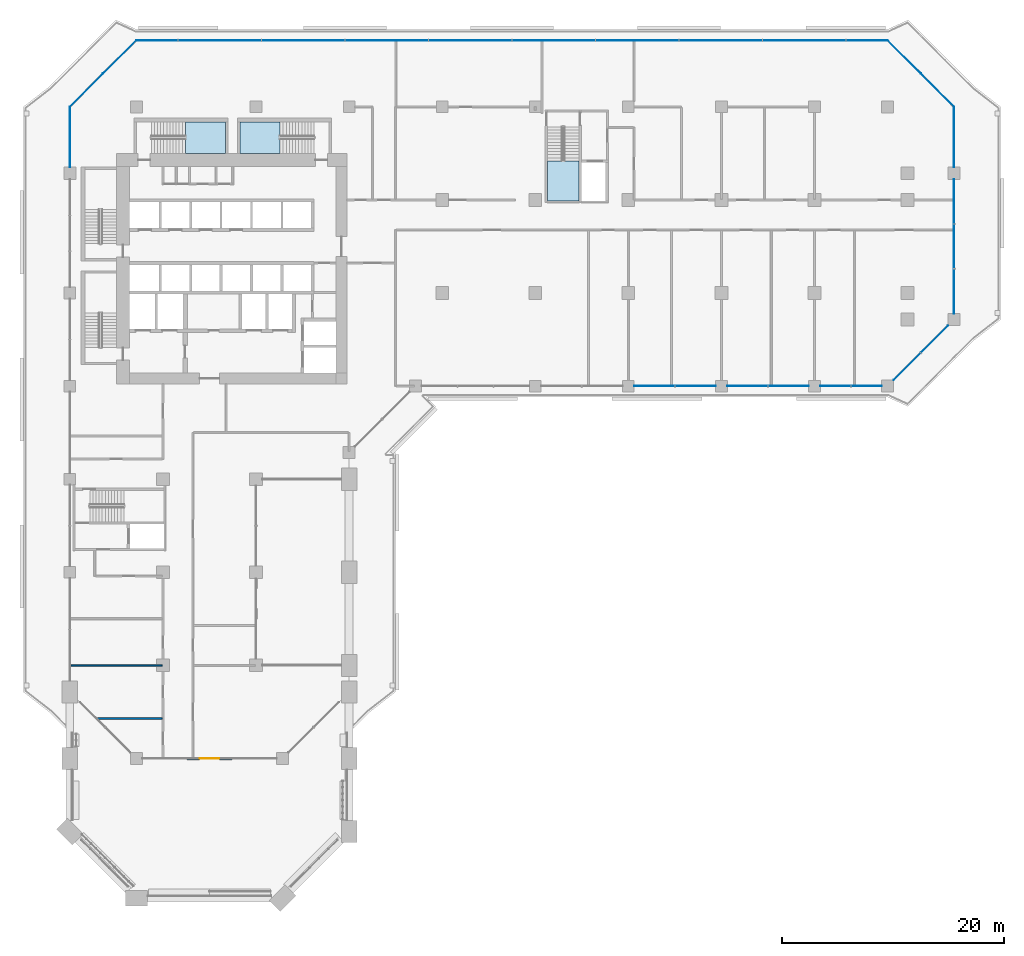
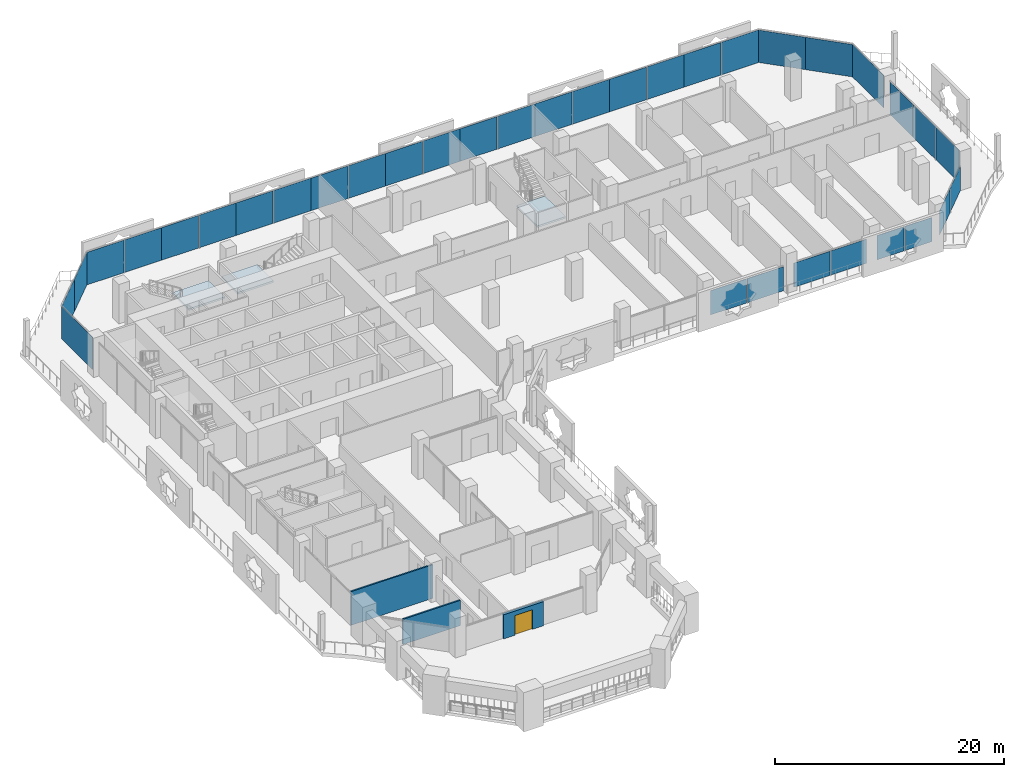
# One storey, part 12 of 25: 35 plates, 3 slabs, 3 walls, 1 door, 1 opening, 10 elements without a shape of their own.
"""IFC4 building model written with IfcOpenShell, lengths in metres."""

from ifc_helpers import new_model, si_unit, direction, frame, frame_2d, origin, origin_2d, place, context, subcontext, project, spatial, polyline, rectangle, outline, extrude, material, layer, layer_set, type_object, element, fill, aggregate, save


model = new_model("IFC4")

# Units and contexts
model_context = context("Model", 3, precision=1e-05, world=origin(), true_north=direction((0.0, 1.0)))
body_context = subcontext(model_context, "Body", "Model", "MODEL_VIEW")
ifc_project = project(units=[si_unit("LENGTHUNIT", "METRE"), si_unit("AREAUNIT", "SQUARE_METRE"), si_unit("VOLUMEUNIT", "CUBIC_METRE"), si_unit("PLANEANGLEUNIT", "RADIAN"), si_unit("MASSUNIT", "GRAM", prefix="KILO")], contexts=[model_context])

# Site, building, storey
site_placement = place(None, origin())
site = spatial("IfcSite", under=ifc_project, at=site_placement, CompositionType="ELEMENT")
building_placement = place(site_placement, origin())
building = spatial("IfcBuilding", under=site, at=building_placement, Name="Kawkab Arch Medical Tower", CompositionType="ELEMENT")
storey_placement = place(building_placement, frame((0.0, 0.0, 98.800048828125)))
storey = spatial("IfcBuildingStorey", under=building, at=storey_placement, Name="L22", CompositionType="ELEMENT", Elevation=98.800048828125)

# Curtain wall, plates
ifc_material_1 = material(Name="Bronze anodised aluminium curtain wall frame", Category="aluminium")
ifc_layer_1 = layer(ifc_material_1, 0.159912109375)
ifc_layer_set_1 = layer_set([ifc_layer_1], Name="Bronze anodised aluminium curtain wall frame")
curtain_wall_type_1 = type_object("IfcCurtainWallType", Name="CW1 ward curtain wall", PredefinedType="NOTDEFINED", material=ifc_layer_set_1)
placement_1 = place(storey_placement, origin())
curtain_wall_1 = element("IfcCurtainWall", 1, at=placement_1, inside=storey, type_object=curtain_wall_type_1, Name="CW1 Ward curtain wall R07", PredefinedType="NOTDEFINED")
ifc_material_2 = material(Name="Tinted insulating glass, bronze low-e coating", Category="glass")
ifc_layer_2 = layer(ifc_material_2, 0.031982421875)
ifc_layer_set_2 = layer_set([ifc_layer_2], Name="Tinted insulating glass, bronze low-e coating")
plate_type_1 = type_object("IfcPlateType", Name="CW1 glazing unit 32", PredefinedType="CURTAIN_PANEL", material=ifc_layer_set_2)
plate_1_placement = place(storey_placement, frame((52.74755859375, -25.199951171875, 0.0), z_axis=(0.0, 0.0, 1.0), x_axis=(1.0, 0.0, 0.0)))
plate_1 = element("IfcPlate", 2, at=plate_1_placement, type_object=plate_type_1, Name="CW1 glazing unit 3.1", PredefinedType="CURTAIN_PANEL", context=body_context, shape_type="SweptSolid", body=[
    extrude(rectangle(XDim=3.64501953125, YDim=0.031982421875, at=origin_2d()), origin(), (0.0, 0.0, 1.0), 2.580078125),
])
plate_2_placement = place(storey_placement, frame((56.452392578125, -25.199951171875, 0.0), z_axis=(0.0, 0.0, 1.0), x_axis=(1.0, 0.0, 0.0)))
plate_2 = element("IfcPlate", 3, at=plate_2_placement, type_object=plate_type_1, Name="CW1 glazing unit 3.2", PredefinedType="CURTAIN_PANEL", context=body_context, shape_type="SweptSolid", body=[
    extrude(rectangle(XDim=3.64501953125, YDim=0.031982421875, at=origin_2d()), origin(), (0.0, 0.0, 1.0), 2.580078125),
])
plate_3_placement = place(storey_placement, frame((61.1474609375, -25.199951171875, 0.0), z_axis=(0.0, 0.0, 1.0), x_axis=(1.0, 0.0, 0.0)))
plate_3 = element("IfcPlate", 4, at=plate_3_placement, type_object=plate_type_1, Name="CW1 glazing unit 4.1", PredefinedType="CURTAIN_PANEL", context=body_context, shape_type="SweptSolid", body=[
    extrude(rectangle(XDim=3.64501953125, YDim=0.031982421875, at=origin_2d()), origin(), (0.0, 0.0, 1.0), 2.580078125),
])
plate_4_placement = place(storey_placement, frame((64.8525390625, -25.199951171875, 0.0), z_axis=(0.0, 0.0, 1.0), x_axis=(1.0, 0.0, 0.0)))
plate_4 = element("IfcPlate", 5, at=plate_4_placement, type_object=plate_type_1, Name="CW1 glazing unit 4.2", PredefinedType="CURTAIN_PANEL", context=body_context, shape_type="SweptSolid", body=[
    extrude(rectangle(XDim=3.64501953125, YDim=0.031982421875, at=origin_2d()), origin(), (0.0, 0.0, 1.0), 2.580078125),
])
plate_5_placement = place(storey_placement, frame((69.09130859375, -25.199951171875, 0.0), z_axis=(0.0, 0.0, 1.0), x_axis=(1.0, 0.0, 0.0)))
plate_5 = element("IfcPlate", 6, at=plate_5_placement, type_object=plate_type_1, Name="CW1 glazing unit 5.1", PredefinedType="CURTAIN_PANEL", context=body_context, shape_type="SweptSolid", body=[
    extrude(rectangle(XDim=2.732421875, YDim=0.031982421875, at=origin_2d()), origin(), (0.0, 0.0, 1.0), 2.580078125),
])
plate_6_placement = place(storey_placement, frame((71.8837890625, -25.199951171875, 0.0), z_axis=(0.0, 0.0, 1.0), x_axis=(1.0, 0.0, 0.0)))
plate_6 = element("IfcPlate", 7, at=plate_6_placement, type_object=plate_type_1, Name="CW1 glazing unit 5.2", PredefinedType="CURTAIN_PANEL", context=body_context, shape_type="SweptSolid", body=[
    extrude(rectangle(XDim=2.732421875, YDim=0.031982421875, at=origin_2d()), origin(), (0.0, 0.0, 1.0), 2.580078125),
])
aggregate(curtain_wall_1, [plate_1, plate_2, plate_3, plate_4, plate_5, plate_6])

curtain_wall_2 = element("IfcCurtainWall", 8, at=placement_1, inside=storey, type_object=curtain_wall_type_1, Name="CW1 Ward curtain wall R09", PredefinedType="NOTDEFINED")
plate_7_placement = place(storey_placement, frame((79.800048828125, -16.6484375, 0.0), z_axis=(0.0, 0.0, 1.0), x_axis=(0.0, 1.0, 0.0)))
plate_7 = element("IfcPlate", 9, at=plate_7_placement, type_object=plate_type_1, Name="CW1 glazing unit 1.1", PredefinedType="CURTAIN_PANEL", context=body_context, shape_type="SweptSolid", body=[
    extrude(rectangle(XDim=4.00341796875, YDim=0.031982421875, at=origin_2d()), origin(), (0.0, 0.0, 1.0), 3.47998046875),
])
plate_8_placement = place(storey_placement, frame((79.800048828125, -12.60009765625, 0.0), z_axis=(0.0, 0.0, 1.0), x_axis=(0.0, 1.0, 0.0)))
plate_8 = element("IfcPlate", 10, at=plate_8_placement, type_object=plate_type_1, Name="CW1 glazing unit 1.2", PredefinedType="CURTAIN_PANEL", context=body_context, shape_type="SweptSolid", body=[
    extrude(rectangle(XDim=3.973388671875, YDim=0.031982421875, at=origin_2d()), origin(), (0.0, 0.0, 1.0), 3.47998046875),
])
plate_9_placement = place(storey_placement, frame((79.800048828125, -8.5517578125, 0.0), z_axis=(0.0, 0.0, 1.0), x_axis=(0.0, 1.0, 0.0)))
plate_9 = element("IfcPlate", 11, at=plate_9_placement, type_object=plate_type_1, Name="CW1 glazing unit 1.3", PredefinedType="CURTAIN_PANEL", context=body_context, shape_type="SweptSolid", body=[
    extrude(rectangle(XDim=4.00341796875, YDim=0.031982421875, at=origin_2d()), origin(), (0.0, 0.0, 1.0), 3.47998046875),
])
plate_10_placement = place(storey_placement, frame((79.800048828125, -2.72509765625, 0.0), z_axis=(0.0, 0.0, 1.0), x_axis=(0.0, 1.0, 0.0)))
plate_10 = element("IfcPlate", 12, at=plate_10_placement, type_object=plate_type_1, Name="CW1 glazing unit 2.1", PredefinedType="CURTAIN_PANEL", context=body_context, shape_type="SweptSolid", body=[
    extrude(rectangle(XDim=5.449951171875, YDim=0.031982421875, at=origin_2d()), origin(), (0.0, 0.0, 1.0), 3.47998046875),
])
aggregate(curtain_wall_2, [plate_7, plate_8, plate_9, plate_10])

curtain_wall_3 = element("IfcCurtainWall", 13, at=placement_1, inside=storey, type_object=curtain_wall_type_1, Name="CW1 Ward curtain wall R11", PredefinedType="NOTDEFINED")
plate_11_placement = place(storey_placement, frame((71.931640625, 6.0, 0.0), z_axis=(0.0, 0.0, 1.0), x_axis=(-1.0, 0.0, 0.0)))
plate_11 = element("IfcPlate", 14, at=plate_11_placement, type_object=plate_type_1, Name="CW1 glazing unit 1.1", PredefinedType="CURTAIN_PANEL", context=body_context, shape_type="SweptSolid", body=[
    extrude(rectangle(XDim=3.736572265625, YDim=0.031982421875, at=origin_2d()), origin(), (0.0, 0.0, 1.0), 3.47998046875),
])
plate_12_placement = place(storey_placement, frame((68.135009765625, 6.0, 0.0), z_axis=(0.0, 0.0, 1.0), x_axis=(-1.0, 0.0, 0.0)))
plate_12 = element("IfcPlate", 15, at=plate_12_placement, type_object=plate_type_1, Name="CW1 glazing unit 1.2", PredefinedType="CURTAIN_PANEL", context=body_context, shape_type="SweptSolid", body=[
    extrude(rectangle(XDim=3.736572265625, YDim=0.031982421875, at=origin_2d()), origin(), (0.0, 0.0, 1.0), 3.47998046875),
])
plate_13_placement = place(storey_placement, frame((64.3984375, 6.0, 0.0), z_axis=(0.0, 0.0, 1.0), x_axis=(-1.0, 0.0, 0.0)))
plate_13 = element("IfcPlate", 16, at=plate_13_placement, type_object=plate_type_1, Name="CW1 glazing unit 2.1", PredefinedType="CURTAIN_PANEL", context=body_context, shape_type="SweptSolid", body=[
    extrude(rectangle(XDim=3.736572265625, YDim=0.031982421875, at=origin_2d()), origin(), (0.0, 0.0, 1.0), 3.47998046875),
])
plate_14_placement = place(storey_placement, frame((60.6015625, 6.0, 0.0), z_axis=(0.0, 0.0, 1.0), x_axis=(-1.0, 0.0, 0.0)))
plate_14 = element("IfcPlate", 17, at=plate_14_placement, type_object=plate_type_1, Name="CW1 glazing unit 2.2", PredefinedType="CURTAIN_PANEL", context=body_context, shape_type="SweptSolid", body=[
    extrude(rectangle(XDim=3.736572265625, YDim=0.031982421875, at=origin_2d()), origin(), (0.0, 0.0, 1.0), 3.47998046875),
])
plate_15_placement = place(storey_placement, frame((56.864990234375, 6.0, 0.0), z_axis=(0.0, 0.0, 1.0), x_axis=(-1.0, 0.0, 0.0)))
plate_15 = element("IfcPlate", 18, at=plate_15_placement, type_object=plate_type_1, Name="CW1 glazing unit 3.1", PredefinedType="CURTAIN_PANEL", context=body_context, shape_type="SweptSolid", body=[
    extrude(rectangle(XDim=3.736572265625, YDim=0.031982421875, at=origin_2d()), origin(), (0.0, 0.0, 1.0), 3.47998046875),
])
plate_16_placement = place(storey_placement, frame((53.068359375, 6.0, 0.0), z_axis=(0.0, 0.0, 1.0), x_axis=(-1.0, 0.0, 0.0)))
plate_16 = element("IfcPlate", 19, at=plate_16_placement, type_object=plate_type_1, Name="CW1 glazing unit 3.2", PredefinedType="CURTAIN_PANEL", context=body_context, shape_type="SweptSolid", body=[
    extrude(rectangle(XDim=3.736572265625, YDim=0.031982421875, at=origin_2d()), origin(), (0.0, 0.0, 1.0), 3.47998046875),
])
plate_17_placement = place(storey_placement, frame((49.331787109375, 6.0, 0.0), z_axis=(0.0, 0.0, 1.0), x_axis=(-1.0, 0.0, 0.0)))
plate_17 = element("IfcPlate", 20, at=plate_17_placement, type_object=plate_type_1, Name="CW1 glazing unit 4.1", PredefinedType="CURTAIN_PANEL", context=body_context, shape_type="SweptSolid", body=[
    extrude(rectangle(XDim=3.736572265625, YDim=0.031982421875, at=origin_2d()), origin(), (0.0, 0.0, 1.0), 3.47998046875),
])
plate_18_placement = place(storey_placement, frame((45.534912109375, 6.0, 0.0), z_axis=(0.0, 0.0, 1.0), x_axis=(-1.0, 0.0, 0.0)))
plate_18 = element("IfcPlate", 21, at=plate_18_placement, type_object=plate_type_1, Name="CW1 glazing unit 4.2", PredefinedType="CURTAIN_PANEL", context=body_context, shape_type="SweptSolid", body=[
    extrude(rectangle(XDim=3.736572265625, YDim=0.031982421875, at=origin_2d()), origin(), (0.0, 0.0, 1.0), 3.47998046875),
])
plate_19_placement = place(storey_placement, frame((41.79833984375, 6.0, 0.0), z_axis=(0.0, 0.0, 1.0), x_axis=(-1.0, 0.0, 0.0)))
plate_19 = element("IfcPlate", 22, at=plate_19_placement, type_object=plate_type_1, Name="CW1 glazing unit 5.1", PredefinedType="CURTAIN_PANEL", context=body_context, shape_type="SweptSolid", body=[
    extrude(rectangle(XDim=3.736572265625, YDim=0.031982421875, at=origin_2d()), origin(), (0.0, 0.0, 1.0), 3.47998046875),
])
plate_20_placement = place(storey_placement, frame((38.001708984375, 6.0, 0.0), z_axis=(0.0, 0.0, 1.0), x_axis=(-1.0, 0.0, 0.0)))
plate_20 = element("IfcPlate", 23, at=plate_20_placement, type_object=plate_type_1, Name="CW1 glazing unit 5.2", PredefinedType="CURTAIN_PANEL", context=body_context, shape_type="SweptSolid", body=[
    extrude(rectangle(XDim=3.736572265625, YDim=0.031982421875, at=origin_2d()), origin(), (0.0, 0.0, 1.0), 3.47998046875),
])
plate_21_placement = place(storey_placement, frame((34.264892578125, 6.0, 0.0), z_axis=(0.0, 0.0, 1.0), x_axis=(-1.0, 0.0, 0.0)))
plate_21 = element("IfcPlate", 24, at=plate_21_placement, type_object=plate_type_1, Name="CW1 glazing unit 6.1", PredefinedType="CURTAIN_PANEL", context=body_context, shape_type="SweptSolid", body=[
    extrude(rectangle(XDim=3.736572265625, YDim=0.031982421875, at=origin_2d()), origin(), (0.0, 0.0, 1.0), 3.47998046875),
])
plate_22_placement = place(storey_placement, frame((30.46826171875, 6.0, 0.0), z_axis=(0.0, 0.0, 1.0), x_axis=(-1.0, 0.0, 0.0)))
plate_22 = element("IfcPlate", 25, at=plate_22_placement, type_object=plate_type_1, Name="CW1 glazing unit 6.2", PredefinedType="CURTAIN_PANEL", context=body_context, shape_type="SweptSolid", body=[
    extrude(rectangle(XDim=3.736572265625, YDim=0.031982421875, at=origin_2d()), origin(), (0.0, 0.0, 1.0), 3.47998046875),
])
plate_23_placement = place(storey_placement, frame((26.731689453125, 6.0, 0.0), z_axis=(0.0, 0.0, 1.0), x_axis=(-1.0, 0.0, 0.0)))
plate_23 = element("IfcPlate", 26, at=plate_23_placement, type_object=plate_type_1, Name="CW1 glazing unit 7.1", PredefinedType="CURTAIN_PANEL", context=body_context, shape_type="SweptSolid", body=[
    extrude(rectangle(XDim=3.736572265625, YDim=0.031982421875, at=origin_2d()), origin(), (0.0, 0.0, 1.0), 3.47998046875),
])
plate_24_placement = place(storey_placement, frame((22.93505859375, 6.0, 0.0), z_axis=(0.0, 0.0, 1.0), x_axis=(-1.0, 0.0, 0.0)))
plate_24 = element("IfcPlate", 27, at=plate_24_placement, type_object=plate_type_1, Name="CW1 glazing unit 7.2", PredefinedType="CURTAIN_PANEL", context=body_context, shape_type="SweptSolid", body=[
    extrude(rectangle(XDim=3.736572265625, YDim=0.031982421875, at=origin_2d()), origin(), (0.0, 0.0, 1.0), 3.47998046875),
])
plate_25_placement = place(storey_placement, frame((19.1982421875, 6.0, 0.0), z_axis=(0.0, 0.0, 1.0), x_axis=(-1.0, 0.0, 0.0)))
plate_25 = element("IfcPlate", 28, at=plate_25_placement, type_object=plate_type_1, Name="CW1 glazing unit 8.1", PredefinedType="CURTAIN_PANEL", context=body_context, shape_type="SweptSolid", body=[
    extrude(rectangle(XDim=3.736572265625, YDim=0.031982421875, at=origin_2d()), origin(), (0.0, 0.0, 1.0), 3.47998046875),
])
plate_26_placement = place(storey_placement, frame((15.401611328125, 6.0, 0.0), z_axis=(0.0, 0.0, 1.0), x_axis=(-1.0, 0.0, 0.0)))
plate_26 = element("IfcPlate", 29, at=plate_26_placement, type_object=plate_type_1, Name="CW1 glazing unit 8.2", PredefinedType="CURTAIN_PANEL", context=body_context, shape_type="SweptSolid", body=[
    extrude(rectangle(XDim=3.736572265625, YDim=0.031982421875, at=origin_2d()), origin(), (0.0, 0.0, 1.0), 3.47998046875),
])
plate_27_placement = place(storey_placement, frame((11.6650390625, 6.0, 0.0), z_axis=(0.0, 0.0, 1.0), x_axis=(-1.0, 0.0, 0.0)))
plate_27 = element("IfcPlate", 30, at=plate_27_placement, type_object=plate_type_1, Name="CW1 glazing unit 9.1", PredefinedType="CURTAIN_PANEL", context=body_context, shape_type="SweptSolid", body=[
    extrude(rectangle(XDim=3.736572265625, YDim=0.031982421875, at=origin_2d()), origin(), (0.0, 0.0, 1.0), 3.47998046875),
])
plate_28_placement = place(storey_placement, frame((7.868408203125, 6.0, 0.0), z_axis=(0.0, 0.0, 1.0), x_axis=(-1.0, 0.0, 0.0)))
plate_28 = element("IfcPlate", 31, at=plate_28_placement, type_object=plate_type_1, Name="CW1 glazing unit 9.2", PredefinedType="CURTAIN_PANEL", context=body_context, shape_type="SweptSolid", body=[
    extrude(rectangle(XDim=3.736572265625, YDim=0.031982421875, at=origin_2d()), origin(), (0.0, 0.0, 1.0), 3.47998046875),
])
aggregate(curtain_wall_3, [plate_11, plate_12, plate_13, plate_14, plate_15, plate_16, plate_17, plate_18, plate_19, plate_20, plate_21, plate_22, plate_23, plate_24, plate_25, plate_26, plate_27, plate_28])

# Curtain wall, plate
curtain_wall_4 = element("IfcCurtainWall", 32, at=placement_1, inside=storey, type_object=curtain_wall_type_1, Name="CW1 Ward curtain wall R13", PredefinedType="NOTDEFINED")
plate_29_placement = place(storey_placement, frame((0.0, -2.72509765625, 0.0), z_axis=(0.0, 0.0, 1.0), x_axis=(0.0, -1.0, 0.0)))
plate_29 = element("IfcPlate", 33, at=plate_29_placement, type_object=plate_type_1, Name="CW1 glazing unit 1.1", PredefinedType="CURTAIN_PANEL", context=body_context, shape_type="SweptSolid", body=[
    extrude(rectangle(XDim=5.449951171875, YDim=0.031982421875, at=origin_2d()), origin(), (0.0, 0.0, 1.0), 3.47998046875),
])
aggregate(curtain_wall_4, [plate_29])

# Curtain wall, plates
ifc_material_3 = material(Name="Bronze anodised aluminium curtain wall frame", Category="aluminium")
ifc_layer_3 = layer(ifc_material_3, 0.159912109375)
ifc_layer_set_3 = layer_set([ifc_layer_3], Name="Bronze anodised aluminium curtain wall frame")
curtain_wall_type_2 = type_object("IfcCurtainWallType", Name="CW2 chamfer curtain wall", PredefinedType="NOTDEFINED", material=ifc_layer_set_3)
curtain_wall_5 = element("IfcCurtainWall", 34, at=placement_1, inside=storey, type_object=curtain_wall_type_2, Name="CW2 Chamfer curtain wall R08", PredefinedType="NOTDEFINED")
ifc_material_4 = material(Name="Tinted insulating glass, bronze low-e coating", Category="glass")
ifc_layer_4 = layer(ifc_material_4, 0.031982421875)
ifc_layer_set_4 = layer_set([ifc_layer_4], Name="Tinted insulating glass, bronze low-e coating")
plate_type_2 = type_object("IfcPlateType", Name="CW2 glazing unit 32", PredefinedType="CURTAIN_PANEL", material=ifc_layer_set_4)
plate_30_placement = place(storey_placement, frame((75.564453125, -23.435546875, 0.0), z_axis=(0.0, 0.0, 1.0), x_axis=(0.707106781187, 0.707106781187, 0.0)))
plate_30 = element("IfcPlate", 35, at=plate_30_placement, type_object=plate_type_2, Name="CW2 glazing unit 1.1", PredefinedType="CURTAIN_PANEL", context=body_context, shape_type="SweptSolid", body=[
    extrude(rectangle(XDim=3.434814453125, YDim=0.031982421875, at=origin_2d()), origin(), (0.0, 0.0, 1.0), 2.56005859375),
])
plate_31_placement = place(storey_placement, frame((78.03564453125, -20.96435546875, 0.0), z_axis=(0.0, 0.0, 1.0), x_axis=(0.707106781187, 0.707106781187, 0.0)))
plate_31 = element("IfcPlate", 36, at=plate_31_placement, type_object=plate_type_2, Name="CW2 glazing unit 1.2", PredefinedType="CURTAIN_PANEL", context=body_context, shape_type="SweptSolid", body=[
    extrude(rectangle(XDim=3.434814453125, YDim=0.031982421875, at=origin_2d()), origin(), (0.0, 0.0, 1.0), 2.56005859375),
])
aggregate(curtain_wall_5, [plate_30, plate_31])

curtain_wall_6 = element("IfcCurtainWall", 37, at=placement_1, inside=storey, type_object=curtain_wall_type_2, Name="CW2 Chamfer curtain wall R10", PredefinedType="NOTDEFINED")
plate_32_placement = place(storey_placement, frame((78.300048828125, 1.5, 0.0), z_axis=(0.0, 0.0, 1.0), x_axis=(-0.707106781187, 0.707106781187, 0.0)))
plate_32 = element("IfcPlate", 38, at=plate_32_placement, type_object=plate_type_2, Name="CW2 glazing unit 1.1", PredefinedType="CURTAIN_PANEL", context=body_context, shape_type="SweptSolid", body=[
    extrude(rectangle(XDim=4.24267578125, YDim=0.031982421875, at=origin_2d()), origin(), (0.0, 0.0, 1.0), 3.4599609375),
])
plate_33_placement = place(storey_placement, frame((75.300048828125, 4.5, 0.0), z_axis=(0.0, 0.0, 1.0), x_axis=(-0.707106781187, 0.707106781187, 0.0)))
plate_33 = element("IfcPlate", 39, at=plate_33_placement, type_object=plate_type_2, Name="CW2 glazing unit 2.1", PredefinedType="CURTAIN_PANEL", context=body_context, shape_type="SweptSolid", body=[
    extrude(rectangle(XDim=4.24267578125, YDim=0.031982421875, at=origin_2d()), origin(), (0.0, 0.0, 1.0), 3.4599609375),
])
aggregate(curtain_wall_6, [plate_32, plate_33])

curtain_wall_7 = element("IfcCurtainWall", 40, at=placement_1, inside=storey, type_object=curtain_wall_type_2, Name="CW2 Chamfer curtain wall R12", PredefinedType="NOTDEFINED")
plate_34_placement = place(storey_placement, frame((4.5, 4.5, 0.0), z_axis=(0.0, 0.0, 1.0), x_axis=(-0.707106781187, -0.707106781187, 0.0)))
plate_34 = element("IfcPlate", 41, at=plate_34_placement, type_object=plate_type_2, Name="CW2 glazing unit 1.1", PredefinedType="CURTAIN_PANEL", context=body_context, shape_type="SweptSolid", body=[
    extrude(rectangle(XDim=4.24267578125, YDim=0.031982421875, at=origin_2d()), origin(), (0.0, 0.0, 1.0), 3.4599609375),
])
plate_35_placement = place(storey_placement, frame((1.5, 1.5, 0.0), z_axis=(0.0, 0.0, 1.0), x_axis=(-0.707106781187, -0.707106781187, 0.0)))
plate_35 = element("IfcPlate", 42, at=plate_35_placement, type_object=plate_type_2, Name="CW2 glazing unit 2.1", PredefinedType="CURTAIN_PANEL", context=body_context, shape_type="SweptSolid", body=[
    extrude(rectangle(XDim=4.24267578125, YDim=0.031982421875, at=origin_2d()), origin(), (0.0, 0.0, 1.0), 3.4599609375),
])
aggregate(curtain_wall_7, [plate_34, plate_35])

# Stair, slab
ifc_material_5 = material(Name="Concrete C40/50", Category="concrete")
stair_type = type_object("IfcStairType", Name="Exit stair 1350", PredefinedType="HALF_TURN_STAIR", material=ifc_material_5)
stair_1 = element("IfcStair", 43, at=placement_1, inside=storey, type_object=stair_type, Name="L22 Exit stair ST3", PredefinedType="HALF_TURN_STAIR")
ifc_material_6 = material(Name="Concrete C40/50", Category="concrete")
ifc_layer_5 = layer(ifc_material_6, 0.199951171875)
ifc_layer_set_5 = layer_set([ifc_layer_5], Name="Concrete C40/50")
slab_type = type_object("IfcSlabType", Name="Exit stair landing 200", PredefinedType="LANDING", material=ifc_layer_set_5)
placement_2 = place(storey_placement, frame((0.0, 0.0, 1.89990234375)))
slab_1 = element("IfcSlab", 44, at=placement_2, type_object=slab_type, Name="ST3 landing 1", PredefinedType="LANDING", context=body_context, shape_type="SweptSolid", body=[
    extrude(outline(polyline([(10.429931640625, -4.199951171875), (14.050048828125, -4.199951171875), (14.050048828125, -1.35009765625), (10.429931640625, -1.35009765625), (10.429931640625, -4.199951171875)])), origin(), (0.0, 0.0, 1.0), 0.199951171875),
])
aggregate(stair_1, [slab_1])

stair_2 = element("IfcStair", 45, at=placement_1, inside=storey, type_object=stair_type, Name="L22 Exit stair ST4", PredefinedType="HALF_TURN_STAIR")
slab_2 = element("IfcSlab", 46, at=placement_2, type_object=slab_type, Name="ST4 landing 1", PredefinedType="LANDING", context=body_context, shape_type="SweptSolid", body=[
    extrude(outline(polyline([(18.969970703125, -1.35009765625), (15.35009765625, -1.35009765625), (15.35009765625, -4.199951171875), (18.969970703125, -4.199951171875), (18.969970703125, -1.35009765625)])), origin(), (0.0, 0.0, 1.0), 0.199951171875),
])
aggregate(stair_2, [slab_2])

stair_3 = element("IfcStair", 47, at=placement_1, inside=storey, type_object=stair_type, Name="L22 Exit stair ST5", PredefinedType="HALF_TURN_STAIR")
slab_3 = element("IfcSlab", 48, at=placement_2, type_object=slab_type, Name="ST5 landing 1", PredefinedType="LANDING", context=body_context, shape_type="SweptSolid", body=[
    extrude(outline(polyline([(43.10009765625, -4.8798828125), (43.10009765625, -8.5), (45.949951171875, -8.5), (45.949951171875, -4.8798828125), (43.10009765625, -4.8798828125)])), origin(), (0.0, 0.0, 1.0), 0.199951171875),
])
aggregate(stair_3, [slab_3])

# Wall, opening, door
ifc_material_7 = material(Name="Bronze clad insulated wall panel")
ifc_layer_6 = layer(ifc_material_7, 0.25)
ifc_layer_set_6 = layer_set([ifc_layer_6], Name="Bronze clad insulated wall panel")
wall_type_1 = type_object("IfcWallType", Name="External wall bay 250", PredefinedType="SOLIDWALL", material=ifc_layer_set_6)
wall_1_placement = place(storey_placement, frame((10.583251953125, -58.800048828125, 0.0), z_axis=(0.0, 0.0, 1.0), x_axis=(1.0, 0.0, 0.0)))
wall_1 = element("IfcWall", 49, at=wall_1_placement, inside=storey, type_object=wall_type_1, Name="External wall bay L22.R15.1.2", PredefinedType="SOLIDWALL", context=body_context, shape_type="SweptSolid", body=[
    extrude(rectangle(XDim=4.033447265625, YDim=0.25, at=frame_2d((2.0166015625, 0.0))), origin(), (0.0, 0.0, 1.0), 2.579833984375),
])
opening_placement = place(wall_1_placement, frame((1.11669921875, 0.0, 0.0)))
opening = element("IfcOpeningElement", 50, at=opening_placement, cuts=wall_1, Name="Opening B22-701", PredefinedType="OPENING", context=body_context, shape_type="SweptSolid", body=[
    extrude(rectangle(XDim=1.800048828125, YDim=2.10009765625, at=frame_2d((0.89990234375, 1.050048828125))), frame((0.0, 0.135009765625, 0.0), z_axis=(0.0, -1.0, 0.0), x_axis=(1.0, 0.0, 0.0)), (0.0, 0.0, 1.0), 0.27001953125),
])
ifc_material_8 = material(Name="Bronze anodised aluminium door with tinted glass", Category="aluminium")
door_type = type_object("IfcDoorType", Name="Double external door 1800 x 2100", OperationType="DOUBLE_DOOR_SINGLE_SWING", PredefinedType="DOOR", material=ifc_material_8)
door_placement = place(opening_placement, origin())
door = element("IfcDoor", 51, at=door_placement, inside=storey, type_object=door_type, Name="External door L22.R15.1.2", OperationType="DOUBLE_DOOR_SINGLE_SWING", OverallHeight=2.10009765625, OverallWidth=1.800048828125, PredefinedType="DOOR", context=body_context, shape_type="SweptSolid", body=[
    extrude(rectangle(XDim=1.800048828125, YDim=2.10009765625, at=frame_2d((0.89990234375, 1.050048828125))), frame((0.0, 0.02490234375, 0.0), z_axis=(0.0, -1.0, 0.0), x_axis=(1.0, 0.0, 0.0)), (0.0, 0.0, 1.0), 0.050048828125),
])
fill(opening, door)

# Walls
ifc_material_9 = material(Name="Gypsum board partition on steel studs, mineral wool", Category="steel")
ifc_layer_7 = layer(ifc_material_9, 0.14990234375)
ifc_layer_set_7 = layer_set([ifc_layer_7], Name="Gypsum board partition on steel studs, mineral wool")
wall_type_2 = type_object("IfcWallType", Name="Partition 150", PredefinedType="PARTITIONING", material=ifc_layer_set_7)
wall_2_placement = place(storey_placement, frame((2.512939453125, -55.199951171875, 0.0), z_axis=(0.0, 0.0, 1.0), x_axis=(1.0, 0.0, 0.0)))
element("IfcWall", 52, at=wall_2_placement, inside=storey, type_object=wall_type_2, Name="Partition 150 w002", PredefinedType="PARTITIONING", context=body_context, shape_type="SweptSolid", body=[
    extrude(rectangle(XDim=5.81201171875, YDim=0.14990234375, at=frame_2d((2.906005859375, 0.0))), origin(), (0.0, 0.0, 1.0), 2.699951171875),
])
wall_3_placement = place(storey_placement, frame((0.080078125, -50.39990234375, 0.0), z_axis=(0.0, 0.0, 1.0), x_axis=(1.0, 0.0, 0.0)))
element("IfcWall", 53, at=wall_3_placement, inside=storey, type_object=wall_type_2, Name="Partition 150 w003", PredefinedType="PARTITIONING", context=body_context, shape_type="SweptSolid", body=[
    extrude(rectangle(XDim=8.244873046875, YDim=0.14990234375, at=frame_2d((4.12255859375, 0.0))), origin(), (0.0, 0.0, 1.0), 3.599853515625),
])

save(model, "model.ifc")
